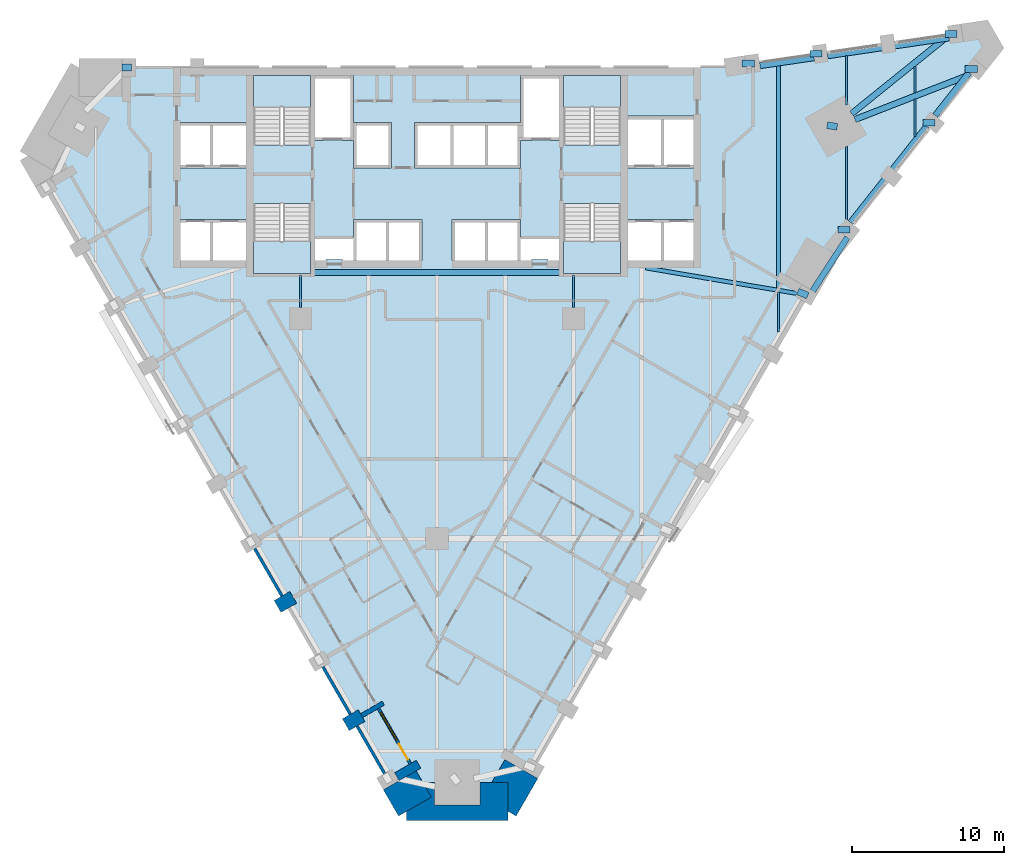
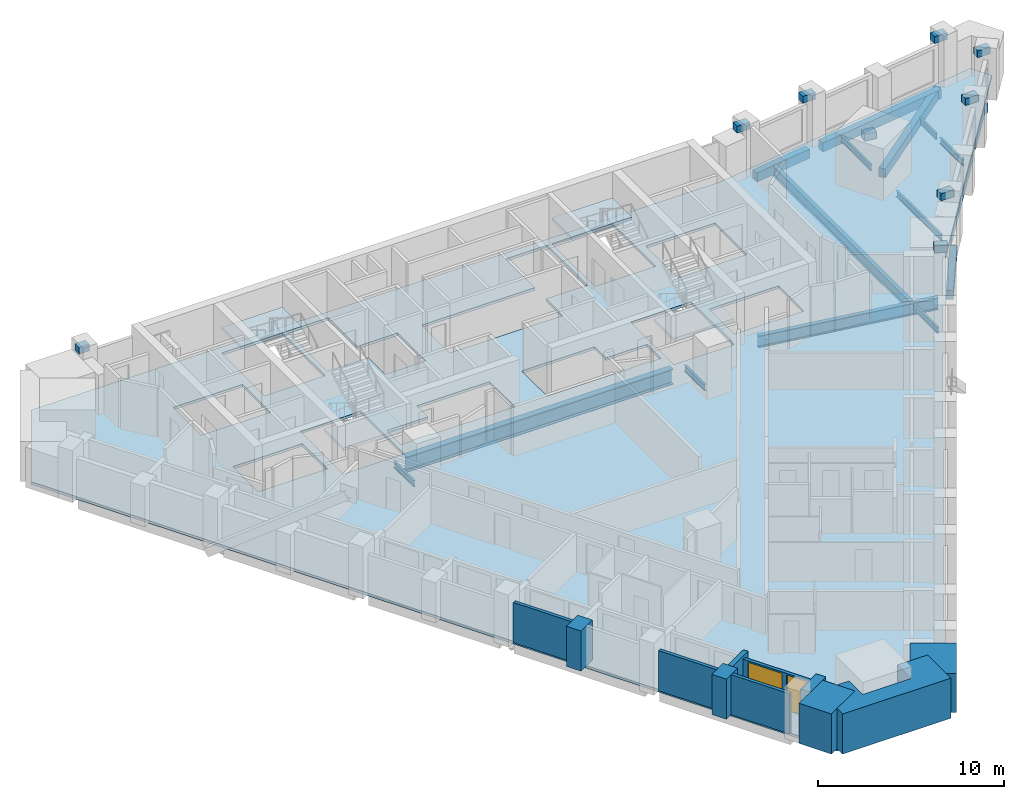
# One storey, part 2 of 11: 26 beams, 11 walls, 5 slabs, 1 door, 1 window, 2 openings, 4 elements without a shape of their own.
"""IFC4 building model written with IfcOpenShell, lengths in metres."""

from ifc_helpers import new_model, si_unit, direction, frame, frame_2d, origin, origin_2d, place, context, subcontext, project, spatial, polyline, rectangle, i_section, outline, extrude, material, layer, layer_set, material_profile, profile_set, type_object, element, fill, aggregate, save


model = new_model("IFC4")

# Units and contexts
model_context = context("Model", 3, precision=1e-05, world=origin(), true_north=direction((0.0, 1.0)))
body_context = subcontext(model_context, "Body", "Model", "MODEL_VIEW")
ifc_project = project(units=[si_unit("LENGTHUNIT", "METRE"), si_unit("AREAUNIT", "SQUARE_METRE"), si_unit("VOLUMEUNIT", "CUBIC_METRE"), si_unit("PLANEANGLEUNIT", "RADIAN"), si_unit("MASSUNIT", "GRAM", prefix="KILO")], contexts=[model_context])

# Site, building, storey
site_placement = place(None, origin())
site = spatial("IfcSite", under=ifc_project, at=site_placement, CompositionType="ELEMENT")
building_placement = place(site_placement, origin())
building = spatial("IfcBuilding", under=site, at=building_placement, Name="Calabash Gate Tower", CompositionType="ELEMENT")
storey_placement = place(building_placement, frame((0.0, 0.0, 98.60009765625)))
storey = spatial("IfcBuildingStorey", under=building, at=storey_placement, Name="L21", CompositionType="ELEMENT", Elevation=98.60009765625)

# Beams
ifc_material_1 = material(Name="Concrete C80/95", Category="concrete")
ifc_material_profile_1 = material_profile(ifc_material_1, rectangle(XDim=0.449951171875, YDim=0.449951171875, at=origin_2d()))
ifc_profile_set_1 = profile_set([ifc_material_profile_1], Name="Concrete C80/95")
beam_type_1 = type_object("IfcBeamType", Name="Column offset link RC 450x450 Concrete C80/95", PredefinedType="BEAM", material=ifc_profile_set_1)
beam_1_placement = place(storey_placement, frame((26.383056640625, 15.160888671875, 3.00390625), z_axis=(-0.989798585067, 0.142473720382, 0.0), x_axis=(-0.142473720382, -0.989798585067, 0.0)))
element("IfcBeam", 1, at=beam_1_placement, inside=storey, type_object=beam_type_1, Name="Column offset link L21 NE", PredefinedType="BEAM", context=body_context, shape_type="SweptSolid", body=[
    extrude(rectangle(XDim=0.449951171875, YDim=0.449951171875, at=origin_2d()), origin(), (0.0, 0.0, 1.0), 0.681884765625),
])
beam_2_placement = place(storey_placement, frame((24.43994140625, 4.027099609375, 3.00390625), z_axis=(-0.921775912684, 0.387723054249, 0.0), x_axis=(-0.387723054249, -0.921775912684, 0.0)))
element("IfcBeam", 2, at=beam_2_placement, inside=storey, type_object=beam_type_1, Name="Column offset link L21 P12", PredefinedType="BEAM", context=body_context, shape_type="SweptSolid", body=[
    extrude(rectangle(XDim=0.449951171875, YDim=0.449951171875, at=origin_2d()), origin(), (0.0, 0.0, 1.0), 0.718994140625),
])
beam_3_placement = place(storey_placement, frame((27.236083984375, 8.366943359375, 3.00390625), z_axis=(-1.0, 0.0, 0.0), x_axis=(0.0, -1.0, 0.0)))
element("IfcBeam", 3, at=beam_3_placement, inside=storey, type_object=beam_type_1, Name="Column offset link L21 P13", PredefinedType="BEAM", context=body_context, shape_type="SweptSolid", body=[
    extrude(rectangle(XDim=0.449951171875, YDim=0.449951171875, at=origin_2d()), origin(), (0.0, 0.0, 1.0), 0.796142578125),
])
beam_4_placement = place(storey_placement, frame((25.366943359375, 19.970947265625, 3.00390625), z_axis=(-1.0, 0.0, 0.0), x_axis=(0.0, -1.0, 0.0)))
element("IfcBeam", 4, at=beam_4_placement, inside=storey, type_object=beam_type_1, Name="Column offset link L21 P16", PredefinedType="BEAM", context=body_context, shape_type="SweptSolid", body=[
    extrude(rectangle(XDim=0.449951171875, YDim=0.449951171875, at=origin_2d()), origin(), (0.0, 0.0, 1.0), 0.798828125),
])
beam_5_placement = place(storey_placement, frame((-20.138916015625, 19.052978515625, 3.00390625), z_axis=(-1.0, 0.0, 0.0), x_axis=(0.0, -1.0, 0.0)))
element("IfcBeam", 5, at=beam_5_placement, inside=storey, type_object=beam_type_1, Name="Column offset link L21 P17", PredefinedType="BEAM", context=body_context, shape_type="SweptSolid", body=[
    extrude(rectangle(XDim=0.449951171875, YDim=0.449951171875, at=origin_2d()), origin(), (0.0, 0.0, 1.0), 0.630126953125),
])
beam_6_placement = place(storey_placement, frame((32.819091796875, 15.424072265625, 3.00390625), z_axis=(-1.0, 0.0, 0.0), x_axis=(0.0, -1.0, 0.0)))
element("IfcBeam", 6, at=beam_6_placement, inside=storey, type_object=beam_type_1, Name="Column offset link L21 P21", PredefinedType="BEAM", context=body_context, shape_type="SweptSolid", body=[
    extrude(rectangle(XDim=0.449951171875, YDim=0.449951171875, at=origin_2d()), origin(), (0.0, 0.0, 1.0), 0.797119140625),
])
beam_7_placement = place(storey_placement, frame((35.610107421875, 18.9541015625, 3.00390625), z_axis=(-1.0, 0.0, 0.0), x_axis=(0.0, -1.0, 0.0)))
element("IfcBeam", 7, at=beam_7_placement, inside=storey, type_object=beam_type_1, Name="Column offset link L21 P22", PredefinedType="BEAM", context=body_context, shape_type="SweptSolid", body=[
    extrude(rectangle(XDim=0.449951171875, YDim=0.449951171875, at=origin_2d()), origin(), (0.0, 0.0, 1.0), 0.796142578125),
])
beam_8_placement = place(storey_placement, frame((34.27001953125, 21.27587890625, 3.00390625), z_axis=(-1.0, 0.0, 0.0), x_axis=(0.0, -1.0, 0.0)))
element("IfcBeam", 8, at=beam_8_placement, inside=storey, type_object=beam_type_1, Name="Column offset link L21 P23", PredefinedType="BEAM", context=body_context, shape_type="SweptSolid", body=[
    extrude(rectangle(XDim=0.449951171875, YDim=0.449951171875, at=origin_2d()), origin(), (0.0, 0.0, 1.0), 0.797119140625),
])
beam_9_placement = place(storey_placement, frame((20.912109375, 19.318115234375, 3.00390625), z_axis=(-1.0, 0.0, 0.0), x_axis=(0.0, -1.0, 0.0)))
element("IfcBeam", 9, at=beam_9_placement, inside=storey, type_object=beam_type_1, Name="Column offset link L21 P24", PredefinedType="BEAM", context=body_context, shape_type="SweptSolid", body=[
    extrude(rectangle(XDim=0.449951171875, YDim=0.449951171875, at=origin_2d()), origin(), (0.0, 0.0, 1.0), 0.796142578125),
])
ifc_material_2 = material(Name="Concrete C60/75", Category="concrete")
ifc_material_profile_2 = material_profile(ifc_material_2, rectangle(XDim=0.39990234375, YDim=0.60009765625, at=origin_2d()))
ifc_profile_set_2 = profile_set([ifc_material_profile_2], Name="Concrete C60/75")
beam_type_2 = type_object("IfcBeamType", Name="Edge beam RC 400x600 Concrete C60/75", PredefinedType="BEAM", material=ifc_profile_set_2)
beam_10_placement = place(storey_placement, frame((24.75390625, 4.326904296875, -0.47021484375), z_axis=(0.544376860002, 0.83884076814, 0.0), x_axis=(-0.83884076814, 0.544376860002, 0.0)))
element("IfcBeam", 10, at=beam_10_placement, inside=storey, type_object=beam_type_2, Name="Edge beam L21 10", PredefinedType="BEAM", context=body_context, shape_type="SweptSolid", body=[
    extrude(rectangle(XDim=0.39990234375, YDim=0.60009765625, at=origin_2d()), origin(), (0.0, 0.0, 1.0), 4.22509765625),
])
beam_11_placement = place(storey_placement, frame((27.259033203125, 8.842041015625, -0.47021484375), z_axis=(0.620163994237, 0.784472192147, 0.0), x_axis=(-0.784472192147, 0.620163994237, 0.0)))
element("IfcBeam", 11, at=beam_11_placement, inside=storey, type_object=beam_type_2, Name="Edge beam L21 11", PredefinedType="BEAM", context=body_context, shape_type="SweptSolid", body=[
    extrude(rectangle(XDim=0.39990234375, YDim=0.60009765625, at=origin_2d()), origin(), (0.0, 0.0, 1.0), 8.10107421875),
])
beam_12_placement = place(storey_placement, frame((32.841064453125, 15.90087890625, -0.47021484375), z_axis=(0.619938740258, 0.784650213998, 0.0), x_axis=(-0.784650213998, 0.619938740258, 0.0)))
element("IfcBeam", 12, at=beam_12_placement, inside=storey, type_object=beam_type_2, Name="Edge beam L21 12", PredefinedType="BEAM", context=body_context, shape_type="SweptSolid", body=[
    extrude(rectangle(XDim=0.39990234375, YDim=0.60009765625, at=origin_2d()), origin(), (0.0, 0.0, 1.0), 3.601806640625),
])
beam_13_placement = place(storey_placement, frame((35.22705078125, 18.62890625, -0.47021484375), z_axis=(-0.931717680749, -0.363183374317, 0.0), x_axis=(0.363183374317, -0.931717680749, 0.0)))
element("IfcBeam", 13, at=beam_13_placement, inside=storey, type_object=beam_type_2, Name="Edge beam L21 13", PredefinedType="BEAM", context=body_context, shape_type="SweptSolid", body=[
    extrude(rectangle(XDim=0.39990234375, YDim=0.60009765625, at=origin_2d()), origin(), (0.0, 0.0, 1.0), 8.24609375),
])
beam_14_placement = place(storey_placement, frame((27.323974609375, 16.01708984375, -0.47021484375), z_axis=(0.778669142045, 0.62743475137, 0.0), x_axis=(-0.62743475137, 0.778669142045, 0.0)))
element("IfcBeam", 14, at=beam_14_placement, inside=storey, type_object=beam_type_2, Name="Edge beam L21 14", PredefinedType="BEAM", context=body_context, shape_type="SweptSolid", body=[
    extrude(rectangle(XDim=0.39990234375, YDim=0.60009765625, at=origin_2d()), origin(), (0.0, 0.0, 1.0), 8.24755859375),
])
beam_15_placement = place(storey_placement, frame((33.7529296875, 21.012939453125, -0.47021484375), z_axis=(-0.989420683867, -0.145074843913, 0.0), x_axis=(0.145074843913, -0.989420683867, 0.0)))
element("IfcBeam", 15, at=beam_15_placement, inside=storey, type_object=beam_type_2, Name="Edge beam L21 15", PredefinedType="BEAM", context=body_context, shape_type="SweptSolid", body=[
    extrude(rectangle(XDim=0.39990234375, YDim=0.60009765625, at=origin_2d()), origin(), (0.0, 0.0, 1.0), 8.099609375),
])
beam_16_placement = place(storey_placement, frame((24.84912109375, 19.7080078125, -0.47021484375), z_axis=(-0.989433082017, -0.144990262464, 0.0), x_axis=(0.144990262464, -0.989433082017, 0.0)))
element("IfcBeam", 16, at=beam_16_placement, inside=storey, type_object=beam_type_2, Name="Edge beam L21 16", PredefinedType="BEAM", context=body_context, shape_type="SweptSolid", body=[
    extrude(rectangle(XDim=0.39990234375, YDim=0.60009765625, at=origin_2d()), origin(), (0.0, 0.0, 1.0), 3.60009765625),
])
ifc_material_3 = material(Name="Steel ASTM A992 Gr50", Category="steel")
ifc_material_profile_3 = material_profile(ifc_material_3, i_section(OverallWidth=0.1396484375, OverallDepth=0.398681640625, WebThickness=0.00634765625, FlangeThickness=0.0087890625, FilletRadius=0.01025390625, at=origin_2d()))
ifc_profile_set_3 = profile_set([ifc_material_profile_3], Name="Steel ASTM A992 Gr50")
beam_type_3 = type_object("IfcBeamType", Name="Floor beam W16x26 ASTM A992 Gr50", PredefinedType="BEAM", material=ifc_profile_set_3)
for number, where, z_axis, x_axis, name in (
    (17, (-9.0, 3.25, -0.369140625), (0.0, 1.0, 0.0), (-1.0, 0.0, 0.0), "Floor beam L21 6"),
    (18, (9.0, 3.25, -0.369140625), (0.0, 1.0, 0.0), (-1.0, 0.0, 0.0), "Floor beam L21 15"),
):
    element("IfcBeam", number, at=place(storey_placement, frame(where, z_axis=z_axis, x_axis=x_axis)), inside=storey, type_object=beam_type_3, Name=name, PredefinedType="BEAM", context=body_context, shape_type="SweptSolid", body=[
        extrude(i_section(OverallWidth=0.1396484375, OverallDepth=0.398681640625, WebThickness=0.00634765625, FlangeThickness=0.0087890625, FilletRadius=0.01025390625, at=origin_2d()), origin(), (0.0, 0.0, 1.0), 2.153076171875),
    ])
beam_17_placement = place(storey_placement, frame((22.5, 1.634033203125, -0.369140625), z_axis=(0.0, 1.0, 0.0), x_axis=(-1.0, 0.0, 0.0)))
element("IfcBeam", 19, at=beam_17_placement, inside=storey, type_object=beam_type_3, Name="Floor beam L21 19", PredefinedType="BEAM", context=body_context, shape_type="SweptSolid", body=[
    extrude(i_section(OverallWidth=0.1396484375, OverallDepth=0.398681640625, WebThickness=0.00634765625, FlangeThickness=0.0087890625, FilletRadius=0.01025390625, at=origin_2d()), origin(), (0.0, 0.0, 1.0), 2.623046875),
])
beam_18_placement = place(storey_placement, frame((27.0, 9.02392578125, -0.369140625), z_axis=(0.0, 1.0, 0.0), x_axis=(-1.0, 0.0, 0.0)))
element("IfcBeam", 20, at=beam_18_placement, inside=storey, type_object=beam_type_3, Name="Floor beam L21 21", PredefinedType="BEAM", context=body_context, shape_type="SweptSolid", body=[
    extrude(i_section(OverallWidth=0.1396484375, OverallDepth=0.398681640625, WebThickness=0.00634765625, FlangeThickness=0.0087890625, FilletRadius=0.01025390625, at=origin_2d()), origin(), (0.0, 0.0, 1.0), 4.84716796875),
])
beam_19_placement = place(storey_placement, frame((27.0, 16.60400390625, -0.369140625), z_axis=(0.0, 1.0, 0.0), x_axis=(-1.0, 0.0, 0.0)))
element("IfcBeam", 21, at=beam_19_placement, inside=storey, type_object=beam_type_3, Name="Floor beam L21 22", PredefinedType="BEAM", context=body_context, shape_type="SweptSolid", body=[
    extrude(i_section(OverallWidth=0.1396484375, OverallDepth=0.398681640625, WebThickness=0.00634765625, FlangeThickness=0.0087890625, FilletRadius=0.01025390625, at=origin_2d()), origin(), (0.0, 0.0, 1.0), 3.2490234375),
])
beam_20_placement = place(storey_placement, frame((31.5, 14.51611328125, -0.369140625), z_axis=(0.0, 1.0, 0.0), x_axis=(-1.0, 0.0, 0.0)))
element("IfcBeam", 22, at=beam_20_placement, inside=storey, type_object=beam_type_3, Name="Floor beam L21 23", PredefinedType="BEAM", context=body_context, shape_type="SweptSolid", body=[
    extrude(i_section(OverallWidth=0.1396484375, OverallDepth=0.398681640625, WebThickness=0.00634765625, FlangeThickness=0.0087890625, FilletRadius=0.01025390625, at=origin_2d()), origin(), (0.0, 0.0, 1.0), 2.477783203125),
])
beam_21_placement = place(storey_placement, frame((31.5, 17.37890625, -0.369140625), z_axis=(0.0, 1.0, 0.0), x_axis=(-1.0, 0.0, 0.0)))
element("IfcBeam", 23, at=beam_21_placement, inside=storey, type_object=beam_type_3, Name="Floor beam L21 24", PredefinedType="BEAM", context=body_context, shape_type="SweptSolid", body=[
    extrude(i_section(OverallWidth=0.1396484375, OverallDepth=0.398681640625, WebThickness=0.00634765625, FlangeThickness=0.0087890625, FilletRadius=0.01025390625, at=origin_2d()), origin(), (0.0, 0.0, 1.0), 1.76708984375),
])
ifc_material_4 = material(Name="Steel ASTM A992 Gr50", Category="steel")
ifc_material_profile_4 = material_profile(ifc_material_4, i_section(OverallWidth=0.25390625, OverallDepth=0.67822265625, WebThickness=0.01171875, FlangeThickness=0.016357421875, FilletRadius=0.01513671875, at=origin_2d()))
ifc_profile_set_4 = profile_set([ifc_material_profile_4], Name="Steel ASTM A992 Gr50")
beam_type_4 = type_object("IfcBeamType", Name="Floor beam W27x84 ASTM A992 Gr50", PredefinedType="BEAM", material=ifc_profile_set_4)
beam_22_placement = place(storey_placement, frame((22.5, 4.48095703125, -0.509033203125), z_axis=(0.0, 1.0, 0.0), x_axis=(-1.0, 0.0, 0.0)))
element("IfcBeam", 24, at=beam_22_placement, inside=storey, type_object=beam_type_4, Name="Floor beam L21 20", PredefinedType="BEAM", context=body_context, shape_type="SweptSolid", body=[
    extrude(i_section(OverallWidth=0.25390625, OverallDepth=0.67822265625, WebThickness=0.01171875, FlangeThickness=0.016357421875, FilletRadius=0.01513671875, at=origin_2d()), origin(), (0.0, 0.0, 1.0), 14.712158203125),
])
ifc_material_5 = material(Name="Steel ASTM A992 Gr50", Category="steel")
ifc_material_profile_5 = material_profile(ifc_material_5, i_section(OverallWidth=0.2666015625, OverallDepth=0.77978515625, WebThickness=0.0166015625, FlangeThickness=0.030029296875, FilletRadius=0.0166015625, at=origin_2d()))
ifc_profile_set_5 = profile_set([ifc_material_profile_5], Name="Steel ASTM A992 Gr50")
beam_type_5 = type_object("IfcBeamType", Name="Girder W30x148 ASTM A992 Gr50", PredefinedType="BEAM", material=ifc_profile_set_5)
beam_23_placement = place(storey_placement, frame((23.9169921875, 4.138916015625, -0.56005859375), z_axis=(-0.986026592032, 0.166587994181, 0.0), x_axis=(-0.166587994181, -0.986026592032, 0.0)))
element("IfcBeam", 25, at=beam_23_placement, inside=storey, type_object=beam_type_5, Name="Girder L21 3", PredefinedType="BEAM", context=body_context, shape_type="SweptSolid", body=[
    extrude(i_section(OverallWidth=0.2666015625, OverallDepth=0.77978515625, WebThickness=0.0166015625, FlangeThickness=0.030029296875, FilletRadius=0.0166015625, at=origin_2d()), origin(), (0.0, 0.0, 1.0), 10.30712890625),
])
ifc_material_6 = material(Name="Steel ASTM A992 Gr50", Category="steel")
ifc_material_profile_6 = material_profile(ifc_material_6, i_section(OverallWidth=0.4013671875, OverallDepth=1.000732421875, WebThickness=0.01904296875, FlangeThickness=0.0361328125, FilletRadius=0.030029296875, at=origin_2d()))
ifc_profile_set_6 = profile_set([ifc_material_profile_6], Name="Steel ASTM A992 Gr50")
beam_type_6 = type_object("IfcBeamType", Name="Girder W40x249 ASTM A992 Gr50", PredefinedType="BEAM", material=ifc_profile_set_6)
beam_24_placement = place(storey_placement, frame((-8.25, 5.552978515625, -0.670166015625), z_axis=(1.0, 0.0, 0.0), x_axis=(0.0, 1.0, 0.0)))
element("IfcBeam", 26, at=beam_24_placement, inside=storey, type_object=beam_type_6, Name="Girder L21 1", PredefinedType="BEAM", context=body_context, shape_type="SweptSolid", body=[
    extrude(i_section(OverallWidth=0.4013671875, OverallDepth=1.000732421875, WebThickness=0.01904296875, FlangeThickness=0.0361328125, FilletRadius=0.030029296875, at=origin_2d()), origin(), (0.0, 0.0, 1.0), 16.5),
])

# Slab
ifc_material_7 = material(Name="Concrete C40/50", Category="concrete")
ifc_layer_1 = layer(ifc_material_7, 0.169921875)
ifc_layer_set_1 = layer_set([ifc_layer_1], Name="Composite floor slab 170 Concrete C40/50")
slab_type_1 = type_object("IfcSlabType", Name="Composite floor slab 170 Concrete C40/50", PredefinedType="FLOOR", material=ifc_layer_set_1)
slab_1_placement = place(storey_placement, frame((0.0, 0.0, -0.170166015625)))
element("IfcSlab", 27, at=slab_1_placement, inside=storey, type_object=slab_type_1, Name="Floor slab L21", PredefinedType="FLOOR", context=body_context, shape_type="SweptSolid", body=[
    extrude(outline(polyline([(-26.965576171875, 13.240966796875), (-23.610107421875, 19.052490234375), (19.0, 19.052490234375), (35.982177734375, 21.54150390625), (36.646484375, 20.390625), (26.0, 6.92822265625), (4.69482421875, -29.973388671875), (-2.015869140625, -29.973388671875), (-26.965576171875, 13.240966796875)]), holes=[polyline([(-5.5, 9.052490234375), (-5.5, 7.8525390625), (-8.050048828125, 7.8525390625), (-8.050048828125, 6.3525390625), (-7.324951171875, 6.3525390625), (-7.324951171875, 6.402587890625), (-6.22509765625, 6.402587890625), (-6.22509765625, 6.3525390625), (-5.5, 6.3525390625), (-3.25, 6.3525390625), (-1.0, 6.3525390625), (-1.0, 9.052490234375), (-3.25, 9.052490234375), (-5.5, 9.052490234375)]), polyline([(5.5, 9.052490234375), (3.25, 9.052490234375), (1.0, 9.052490234375), (1.0, 6.3525390625), (3.25, 6.3525390625), (5.5, 6.3525390625), (6.22509765625, 6.3525390625), (6.22509765625, 6.402587890625), (7.324951171875, 6.402587890625), (7.324951171875, 6.3525390625), (8.050048828125, 6.3525390625), (8.050048828125, 7.8525390625), (5.5, 7.8525390625), (5.5, 9.052490234375)]), polyline([(-5.5, 14.252685546875), (-5.5, 12.45263671875), (-3.0, 12.45263671875), (-3.0, 15.45263671875), (-5.5, 15.45263671875), (-5.5, 18.552490234375), (-8.050048828125, 18.552490234375), (-8.050048828125, 14.252685546875), (-5.5, 14.252685546875)]), polyline([(8.050048828125, 18.552490234375), (5.5, 18.552490234375), (5.5, 15.45263671875), (3.25, 15.45263671875), (1.0, 15.45263671875), (-1.5, 15.45263671875), (-1.5, 12.45263671875), (1.0, 12.45263671875), (3.25, 12.45263671875), (5.5, 12.45263671875), (5.5, 14.252685546875), (8.050048828125, 14.252685546875), (8.050048828125, 18.552490234375)]), polyline([(-12.60009765625, 6.3525390625), (-12.60009765625, 9.052490234375), (-14.85009765625, 9.052490234375), (-16.89990234375, 9.052490234375), (-16.89990234375, 6.3525390625), (-14.85009765625, 6.3525390625), (-12.60009765625, 6.3525390625)]), polyline([(-14.85009765625, 12.45263671875), (-12.60009765625, 12.45263671875), (-12.60009765625, 15.45263671875), (-14.85009765625, 15.45263671875), (-16.89990234375, 15.45263671875), (-16.89990234375, 12.45263671875), (-14.85009765625, 12.45263671875)]), polyline([(14.85009765625, 6.3525390625), (16.89990234375, 6.3525390625), (16.89990234375, 9.052490234375), (14.85009765625, 9.052490234375), (12.60009765625, 9.052490234375), (12.60009765625, 6.3525390625), (14.85009765625, 6.3525390625)]), polyline([(14.85009765625, 12.45263671875), (16.89990234375, 12.45263671875), (16.89990234375, 15.8525390625), (14.85009765625, 15.8525390625), (12.60009765625, 15.8525390625), (12.60009765625, 12.45263671875), (14.85009765625, 12.45263671875)]), polyline([(-8.35009765625, 18.552490234375), (-12.10009765625, 18.552490234375), (-12.10009765625, 13.95263671875), (-8.35009765625, 13.95263671875), (-8.35009765625, 18.552490234375)]), polyline([(-12.10009765625, 10.1025390625), (-12.10009765625, 5.502685546875), (-8.35009765625, 5.502685546875), (-8.35009765625, 10.1025390625), (-12.10009765625, 10.1025390625)]), polyline([(8.35009765625, 13.95263671875), (12.10009765625, 13.95263671875), (12.10009765625, 18.552490234375), (8.35009765625, 18.552490234375), (8.35009765625, 13.95263671875)]), polyline([(12.10009765625, 5.502685546875), (12.10009765625, 10.1025390625), (8.35009765625, 10.1025390625), (8.35009765625, 5.502685546875), (12.10009765625, 5.502685546875)])]), origin(), (0.0, 0.0, 1.0), 0.170166015625),
])

# Stair, slab
ifc_material_8 = material(Name="Concrete C40/50", Category="concrete")
stair_type = type_object("IfcStairType", Name="Exit stair 20 risers of 170 mm", PredefinedType="HALF_TURN_STAIR", material=ifc_material_8)
stair_1_placement = place(storey_placement, origin())
stair_1 = element("IfcStair", 28, at=stair_1_placement, inside=storey, type_object=stair_type, Name="L21 Exit stair ST1", PredefinedType="HALF_TURN_STAIR")
ifc_material_9 = material(Name="Concrete C40/50", Category="concrete")
ifc_layer_2 = layer(ifc_material_9, 0.199951171875)
ifc_layer_set_2 = layer_set([ifc_layer_2], Name="Stair landing SL200")
slab_type_2 = type_object("IfcSlabType", Name="Stair landing SL200", PredefinedType="LANDING", material=ifc_layer_set_2)
slab_2_placement = place(storey_placement, frame((0.0, 0.0, 1.5)))
slab_2 = element("IfcSlab", 29, at=slab_2_placement, type_object=slab_type_2, Name="ST1 landing 1", PredefinedType="LANDING", context=body_context, shape_type="SweptSolid", body=[
    extrude(outline(polyline([(-8.35009765625, 16.463623046875), (-8.35009765625, 18.552490234375), (-12.10009765625, 18.552490234375), (-12.10009765625, 16.463623046875), (-8.35009765625, 16.463623046875)])), origin(), (0.0, 0.0, 1.0), 0.199951171875),
])
aggregate(stair_1, [slab_2])

stair_2_placement = place(storey_placement, origin())
stair_2 = element("IfcStair", 30, at=stair_2_placement, inside=storey, type_object=stair_type, Name="L21 Exit stair ST2", PredefinedType="HALF_TURN_STAIR")
slab_3_placement = place(storey_placement, frame((0.0, 0.0, 1.5)))
slab_3 = element("IfcSlab", 31, at=slab_3_placement, type_object=slab_type_2, Name="ST2 landing 1", PredefinedType="LANDING", context=body_context, shape_type="SweptSolid", body=[
    extrude(outline(polyline([(-12.10009765625, 7.591552734375), (-12.10009765625, 5.502685546875), (-8.35009765625, 5.502685546875), (-8.35009765625, 7.591552734375), (-12.10009765625, 7.591552734375)])), origin(), (0.0, 0.0, 1.0), 0.199951171875),
])
aggregate(stair_2, [slab_3])

stair_3_placement = place(storey_placement, origin())
stair_3 = element("IfcStair", 32, at=stair_3_placement, inside=storey, type_object=stair_type, Name="L21 Exit stair ST3", PredefinedType="HALF_TURN_STAIR")
slab_4_placement = place(storey_placement, frame((0.0, 0.0, 1.5)))
slab_4 = element("IfcSlab", 33, at=slab_4_placement, type_object=slab_type_2, Name="ST3 landing 1", PredefinedType="LANDING", context=body_context, shape_type="SweptSolid", body=[
    extrude(outline(polyline([(12.10009765625, 16.463623046875), (12.10009765625, 18.552490234375), (8.35009765625, 18.552490234375), (8.35009765625, 16.463623046875), (12.10009765625, 16.463623046875)])), origin(), (0.0, 0.0, 1.0), 0.199951171875),
])
aggregate(stair_3, [slab_4])

stair_4_placement = place(storey_placement, origin())
stair_4 = element("IfcStair", 34, at=stair_4_placement, inside=storey, type_object=stair_type, Name="L21 Exit stair ST4", PredefinedType="HALF_TURN_STAIR")
slab_5_placement = place(storey_placement, frame((0.0, 0.0, 1.5)))
slab_5 = element("IfcSlab", 35, at=slab_5_placement, type_object=slab_type_2, Name="ST4 landing 1", PredefinedType="LANDING", context=body_context, shape_type="SweptSolid", body=[
    extrude(outline(polyline([(8.35009765625, 7.591552734375), (8.35009765625, 5.502685546875), (12.10009765625, 5.502685546875), (12.10009765625, 7.591552734375), (8.35009765625, 7.591552734375)])), origin(), (0.0, 0.0, 1.0), 0.199951171875),
])
aggregate(stair_4, [slab_5])

# Walls
ifc_material_10 = material(Name="Terracotta brick masonry, exposed face", Category="masonry")
ifc_layer_3 = layer(ifc_material_10, 2.5)
ifc_layer_set_3 = layer_set([ifc_layer_3], Name="Brick corner mass wall 2500")
wall_type_1 = type_object("IfcWallType", Name="Brick corner mass wall 2500", PredefinedType="SOLIDWALL", material=ifc_layer_set_3)
wall_1_placement = place(storey_placement, origin())
element("IfcWall", 36, at=wall_1_placement, inside=storey, type_object=wall_type_1, Name="Brick corner pier S05 1a", PredefinedType="SOLIDWALL", context=body_context, shape_type="SweptSolid", body=[
    extrude(outline(polyline([(-3.535400390625, -28.54150390625), (-2.535400390625, -30.273193359375), (-0.370361328125, -29.023193359375), (-1.370361328125, -27.29150390625), (-2.496337890625, -27.941650390625), (-2.496337890625, -27.941650390625), (-3.535400390625, -28.54150390625)])), origin(), (0.0, 0.0, 1.0), 2.6298828125),
])
wall_2_placement = place(storey_placement, origin())
element("IfcWall", 37, at=wall_2_placement, inside=storey, type_object=wall_type_1, Name="Brick corner pier S05 1b", PredefinedType="SOLIDWALL", context=body_context, shape_type="SweptSolid", body=[
    extrude(outline(polyline([(-0.9189453125, -28.0732421875), (-0.370361328125, -29.023193359375), (-2.015869140625, -29.973388671875), (-2.015869140625, -30.5732421875), (4.69482421875, -30.5732421875), (4.69482421875, -28.0732421875), (2.840087890625, -28.0732421875), (2.840087890625, -29.530029296875), (-0.159912109375, -29.530029296875), (-0.159912109375, -28.0732421875), (-0.9189453125, -28.0732421875)])), origin(), (0.0, 0.0, 1.0), 2.6298828125),
])
wall_3_placement = place(storey_placement, origin())
element("IfcWall", 38, at=wall_3_placement, inside=storey, type_object=wall_type_1, Name="Brick corner pier S05 1c", PredefinedType="SOLIDWALL", context=body_context, shape_type="SweptSolid", body=[
    extrude(outline(polyline([(6.641845703125, -27.800537109375), (4.47705078125, -26.55078125), (3.597900390625, -28.0732421875), (4.69482421875, -28.0732421875), (4.69482421875, -29.973388671875), (5.214599609375, -30.273193359375), (6.641845703125, -27.800537109375)])), origin(), (0.0, 0.0, 1.0), 2.5517578125),
])
ifc_material_11 = material(Name="Terracotta brick masonry, exposed face", Category="masonry")
ifc_layer_4 = layer(ifc_material_11, 1.199951171875)
ifc_layer_set_4 = layer_set([ifc_layer_4], Name="Brick end wall 1200")
wall_type_2 = type_object("IfcWallType", Name="Brick end wall 1200", PredefinedType="SOLIDWALL", material=ifc_layer_set_4)
wall_4_placement = place(storey_placement, frame((-10.51025390625, -16.46044921875, 0.0), z_axis=(0.0, 0.0, 1.0), x_axis=(0.865955154139, 0.50012165622, 0.0)))
element("IfcWall", 39, at=wall_4_placement, inside=storey, type_object=wall_type_2, Name="Brick pier S05 SW0.7", PredefinedType="SOLIDWALL", context=body_context, shape_type="SweptSolid", body=[
    extrude(rectangle(XDim=1.199951171875, YDim=0.89990234375, at=frame_2d((0.60009765625, 0.0))), origin(), (0.0, 0.0, 1.0), 2.6298828125),
])
wall_5_placement = place(storey_placement, frame((-6.01025390625, -24.254638671875, 0.0), z_axis=(0.0, 0.0, 1.0), x_axis=(0.866043267704, 0.499969057507, 0.0)))
element("IfcWall", 40, at=wall_5_placement, inside=storey, type_object=wall_type_2, Name="Brick pier S05 SW0.9", PredefinedType="SOLIDWALL", context=body_context, shape_type="SweptSolid", body=[
    extrude(rectangle(XDim=1.19970703125, YDim=0.89990234375, at=frame_2d((0.599853515625, 0.0))), origin(), (0.0, 0.0, 1.0), 2.6298828125),
])
ifc_material_12 = material(Name="Terracotta brick masonry, exposed face", Category="masonry")
ifc_layer_5 = layer(ifc_material_12, 0.300048828125)
ifc_layer_set_5 = layer_set([ifc_layer_5], Name="Brick loggia cheek wall 300")
wall_type_3 = type_object("IfcWallType", Name="Brick loggia cheek wall 300", PredefinedType="SOLIDWALL", material=ifc_layer_set_5)
wall_6_placement = place(storey_placement, frame((-4.97119140625, -23.65478515625, 0.0), z_axis=(0.0, 0.0, 1.0), x_axis=(0.865976140824, 0.500085316245, 0.0)))
element("IfcWall", 41, at=wall_6_placement, inside=storey, type_object=wall_type_3, Name="Loggia cheek S05 SW0.9", PredefinedType="SOLIDWALL", context=body_context, shape_type="SweptSolid", body=[
    extrude(rectangle(XDim=1.650146484375, YDim=0.300048828125, at=frame_2d((0.8251953125, 0.0))), origin(), (0.0, 0.0, 1.0), 2.6279296875),
])
wall_7_placement = place(storey_placement, frame((-1.217041015625, -26.856689453125, 0.0), z_axis=(0.0, 0.0, 1.0), x_axis=(-0.866040211805, -0.499974350878, 0.0)))
element("IfcWall", 42, at=wall_7_placement, inside=storey, type_object=wall_type_3, Name="Loggia cheek S05 SW0.10", PredefinedType="SOLIDWALL", context=body_context, shape_type="SweptSolid", body=[
    extrude(rectangle(XDim=1.64990234375, YDim=0.60009765625, at=frame_2d((0.824951171875, 0.0))), origin(), (0.0, 0.0, 1.0), 2.6298828125),
])
ifc_material_13 = material(Name="Terracotta brick masonry, perforated", Category="masonry")
ifc_layer_6 = layer(ifc_material_13, 0.199951171875)
ifc_layer_set_6 = layer_set([ifc_layer_6], Name="Terracotta jaali screen A")
wall_type_4 = type_object("IfcWallType", Name="Terracotta jaali screen A", PredefinedType="SOLIDWALL", material=ifc_layer_set_6)
for number, where, z_axis, x_axis, name in (
    (43, (-12.015625, -12.653076171875, 0.0), (0.0, 0.0, 1.0), (0.499961193289, -0.866047807691, 0.0), "SCREEN A S05 SW0.7"),
    (44, (-7.515625, -20.447265625, 0.0), (0.0, 0.0, 1.0), (0.499961193289, -0.866047807691, 0.0), "SCREEN A S05 SW0.9"),
    (45, (-5.265625, -24.344482421875, 0.0), (0.0, 0.0, 1.0), (0.499961193289, -0.866047807691, 0.0), "SCREEN A S05 SW0.10"),
):
    element("IfcWall", number, at=place(storey_placement, frame(where, z_axis=z_axis, x_axis=x_axis)), inside=storey, type_object=wall_type_4, Name=name, PredefinedType="SOLIDWALL", context=body_context, shape_type="SweptSolid", body=[
        extrude(rectangle(XDim=3.599853515625, YDim=0.199951171875, at=frame_2d((1.7998046875, 0.0))), origin(), (0.0, 0.0, 1.0), 2.6298828125),
    ])

# Wall, openings, door, window
ifc_material_14 = material(Name="Aluminium framed window wall with insulated spandrel", Category="aluminium")
ifc_layer_7 = layer(ifc_material_14, 0.199951171875)
ifc_layer_set_7 = layer_set([ifc_layer_7], Name="Window wall 200")
wall_type_5 = type_object("IfcWallType", Name="Window wall 200", PredefinedType="ELEMENTEDWALL", material=ifc_layer_set_7)
wall_8_placement = place(storey_placement, frame((-3.85693359375, -23.1845703125, 0.0), z_axis=(0.0, 0.0, 1.0), x_axis=(0.500027713859, -0.866009402589, 0.0)))
wall_8 = element("IfcWall", 46, at=wall_8_placement, inside=storey, type_object=wall_type_5, Name="Window wall S05 SW0.10", PredefinedType="ELEMENTEDWALL", context=body_context, shape_type="SweptSolid", body=[
    extrude(rectangle(XDim=4.199951171875, YDim=0.199951171875, at=frame_2d((2.10009765625, 0.0))), origin(), (0.0, 0.0, 1.0), 2.449951171875),
])
opening_1_placement = place(wall_8_placement, frame((0.300048828125, 0.0, 0.60009765625)))
opening_1 = element("IfcOpeningElement", 47, at=opening_1_placement, cuts=wall_8, Name="Opening HW1L-1750", PredefinedType="OPENING", context=body_context, shape_type="SweptSolid", body=[
    extrude(rectangle(XDim=2.10009765625, YDim=1.75, at=frame_2d((1.050048828125, 0.875))), frame((0.0, 0.10986328125, 0.0), z_axis=(0.0, -1.0, 0.0), x_axis=(1.0, 0.0, 0.0)), (0.0, 0.0, 1.0), 0.219970703125),
])
opening_2_placement = place(wall_8_placement, frame((2.699951171875, 0.0, 0.0)))
opening_2 = element("IfcOpeningElement", 48, at=opening_2_placement, cuts=wall_8, Name="Opening H5-028", PredefinedType="OPENING", context=body_context, shape_type="SweptSolid", body=[
    extrude(rectangle(XDim=1.199951171875, YDim=2.35009765625, at=frame_2d((0.60009765625, 1.175048828125))), frame((0.0, 0.10986328125, 0.0), z_axis=(0.0, -1.0, 0.0), x_axis=(1.0, 0.0, 0.0)), (0.0, 0.0, 1.0), 0.219970703125),
])
ifc_material_15 = material(Name="Anodised aluminium frame, bronze finish, impact-rated laminated clear glazing", Category="aluminium")
door_type = type_object("IfcDoorType", Name="Loggia door DH1L-2350 1200x2350", OperationType="SLIDING_TO_LEFT", PredefinedType="DOOR", material=ifc_material_15)
door_placement = place(opening_2_placement, origin())
door = element("IfcDoor", 49, at=door_placement, inside=storey, type_object=door_type, Name="Loggia door S05 SW0.10", OperationType="SINGLE_SWING_LEFT", OverallHeight=2.35009765625, OverallWidth=1.199951171875, PredefinedType="DOOR", context=body_context, shape_type="SweptSolid", body=[
    extrude(rectangle(XDim=1.199951171875, YDim=2.35009765625, at=frame_2d((0.60009765625, 1.175048828125))), frame((0.0, 0.02490234375, 0.0), z_axis=(0.0, -1.0, 0.0), x_axis=(1.0, 0.0, 0.0)), (0.0, 0.0, 1.0), 0.050048828125),
])
fill(opening_2, door)
ifc_material_16 = material(Name="Anodised aluminium frame, bronze finish, impact-rated laminated clear glazing", Category="aluminium")
window_type = type_object("IfcWindowType", Name="Window HW1L 2100x1750", PartitioningType="DOUBLE_PANEL_VERTICAL", PredefinedType="WINDOW", material=ifc_material_16)
window_placement = place(opening_1_placement, origin())
window = element("IfcWindow", 50, at=window_placement, inside=storey, type_object=window_type, Name="Window HW1 S05 SW0.10", OverallHeight=1.75, OverallWidth=2.10009765625, PartitioningType="SINGLE_PANEL", PredefinedType="WINDOW", context=body_context, shape_type="SweptSolid", body=[
    extrude(rectangle(XDim=2.10009765625, YDim=1.75, at=frame_2d((1.050048828125, 0.875))), frame((0.0, 0.030029296875, 0.0), z_axis=(0.0, -1.0, 0.0), x_axis=(1.0, 0.0, 0.0)), (0.0, 0.0, 1.0), 0.06005859375),
])
fill(opening_1, window)

save(model, "model.ifc")
